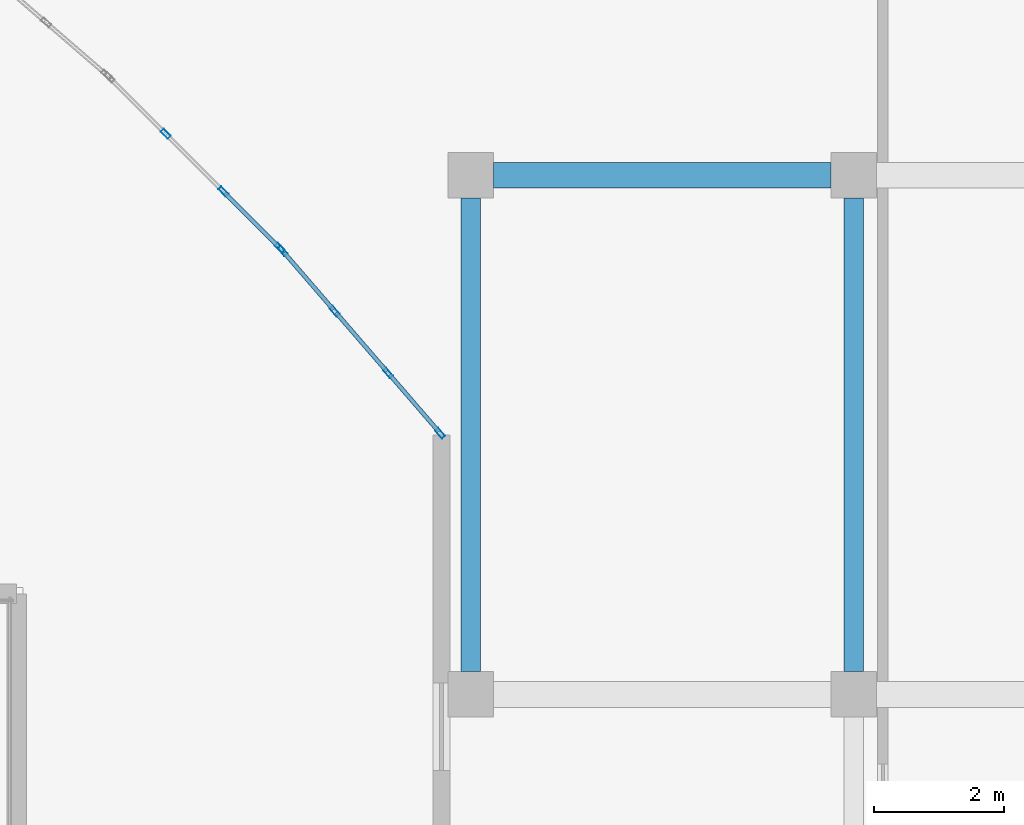
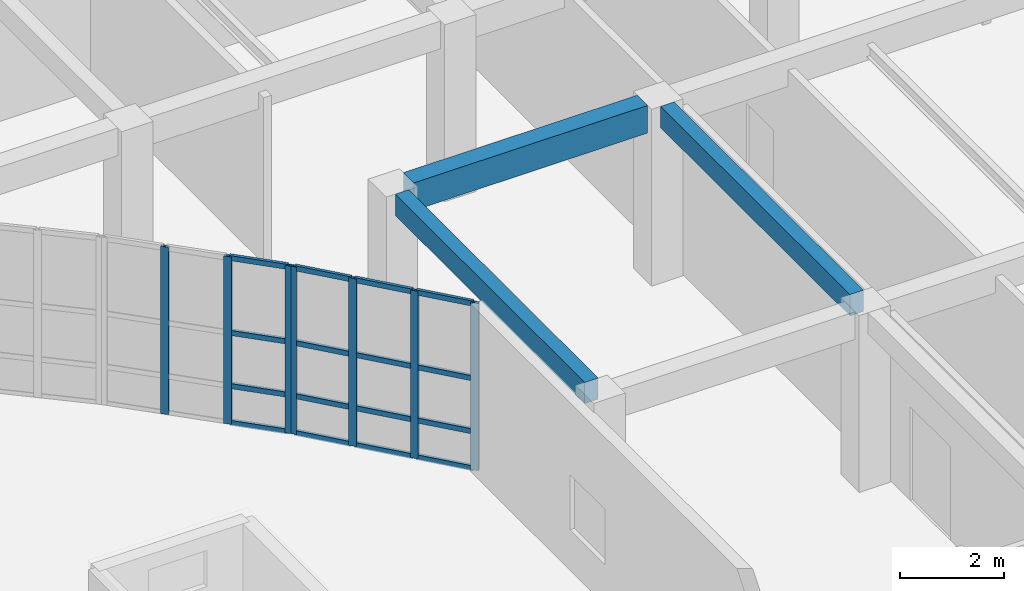
# One storey, part 37 of 114: 23 members, 3 beams, 2 elements without a shape of their own.
"""IFC4 building model written with IfcOpenShell, lengths in metres."""

import ifcopenshell
import ifcopenshell.guid

model = None  # the IFC model being written
_history = None  # IfcOwnerHistory: only IFC2X3 demands one
_inside = {}  # id of a spatial element -> (the spatial element, [elements in it])
_under = {}  # id of a project, library or spatial element -> (it, [spatial elements below it])
_declared = {}  # id of a project -> (the project, [libraries it declares])
_typed = {}  # id of a type object -> (the type object, [elements of that type])
_made_of = {}  # id of a material, layer set ... -> (it, [elements and type objects made of it])


def new_model(schema):
    """Start an empty IFC model of exactly this schema.

    Asked for "IFC4X3", IfcOpenShell would pick the latest addendum, in which some entities
    have other attributes; the version numbers below select the first issue.
    IFC2X3 requires an IfcOwnerHistory on every rooted entity: one is made here for all.
    """
    global model, _history
    if schema == "IFC4X3":
        model = ifcopenshell.file(schema_version=(4, 3, 0, 0))
    else:
        model = ifcopenshell.file(schema=schema)
    _inside.clear()
    _under.clear()
    _declared.clear()
    _typed.clear()
    _made_of.clear()
    _history = None
    if model.schema == "IFC2X3":
        org = make("IfcOrganization", Name="unknown")
        user = make(
            "IfcPersonAndOrganization",
            ThePerson=make("IfcPerson", FamilyName="unknown"),
            TheOrganization=org,
        )
        app = make(
            "IfcApplication",
            ApplicationDeveloper=org,
            Version="unknown",
            ApplicationFullName="unknown",
            ApplicationIdentifier="unknown",
        )
        _history = make(
            "IfcOwnerHistory",
            OwningUser=user,
            OwningApplication=app,
            ChangeAction="ADDED",
            CreationDate=0,
        )
    return model


def make(cls, **values):
    """One entity of the class cls with the attributes given. An attribute that is None is left unset."""
    return model.create_entity(
        cls, **{name: value for name, value in values.items() if value is not None}
    )


def rooted(cls, **values):
    """An entity with a GlobalId (a new one), such as an element, a storey or a relation."""
    return make(cls, GlobalId=ifcopenshell.guid.new(), OwnerHistory=_history, **values)


def si_unit(unit_type, name, prefix=None):
    """IfcSIUnit, for example si_unit("LENGTHUNIT", "METRE", prefix="MILLI")."""
    return make("IfcSIUnit", UnitType=unit_type, Prefix=prefix, Name=name)


def assignment(units):
    """IfcUnitAssignment: the units of a project."""
    return None if units is None else make("IfcUnitAssignment", Units=units)


def point(xyz):
    """IfcCartesianPoint."""
    return None if xyz is None else make("IfcCartesianPoint", Coordinates=xyz)


def direction(xyz):
    """IfcDirection."""
    return None if xyz is None else make("IfcDirection", DirectionRatios=xyz)


def frame(location, z_axis=None, x_axis=None):
    """IfcAxis2Placement3D, a coordinate frame: its origin and axes. An axis left out is left unset."""
    return make(
        "IfcAxis2Placement3D",
        Location=point(location),
        Axis=direction(z_axis),
        RefDirection=direction(x_axis),
    )


def frame_2d(location, x_axis=None):
    """IfcAxis2Placement2D, a coordinate frame in the plane: its origin and x axis."""
    return make(
        "IfcAxis2Placement2D", Location=point(location), RefDirection=direction(x_axis)
    )


def origin():
    """The frame at (0, 0, 0) with its axes left unset."""
    return frame((0.0, 0.0, 0.0))


def origin_2d():
    """The frame at (0, 0) in the plane with its x axis left unset."""
    return frame_2d((0.0, 0.0))


def place(relative_to, where):
    """IfcLocalPlacement: puts the frame where relative to a parent placement (None: the world)."""
    return make(
        "IfcLocalPlacement", PlacementRelTo=relative_to, RelativePlacement=where
    )


def context(
    kind, dimensions, precision=None, world=None, true_north=None, identifier=None
):
    """IfcGeometricRepresentationContext, for example the 3D "Model" context."""
    return make(
        "IfcGeometricRepresentationContext",
        ContextIdentifier=identifier,
        ContextType=kind,
        CoordinateSpaceDimension=dimensions,
        Precision=precision,
        WorldCoordinateSystem=world,
        TrueNorth=true_north,
    )


def subcontext(parent, identifier, kind, view, scale=None):
    """IfcGeometricRepresentationSubContext, for example "Body" below "Model"."""
    return make(
        "IfcGeometricRepresentationSubContext",
        ContextIdentifier=identifier,
        ContextType=kind,
        ParentContext=parent,
        TargetScale=scale,
        TargetView=view,
    )


def project(units=None, contexts=None):
    """IfcProject with its units and contexts."""
    return rooted(
        "IfcProject",
        Name="project",
        RepresentationContexts=contexts,
        UnitsInContext=assignment(units),
    )


def spatial(cls, under=None, at=None, **own):
    """A site, building, storey or space (cls), placed at a placement, below another one or the project."""
    s = rooted(cls, ObjectPlacement=at, **own)
    if under is not None:
        _under.setdefault(under.id(), (under, []))[1].append(s)
    return s


def profile(cls, at=None, kind="AREA", **sizes):
    """A parametric profile (cls). Its sizes go by their IFC names, for example OverallWidth=200.0."""
    return make(cls, ProfileType=kind, Position=at, **sizes)


def rectangle(**sizes):
    """IfcRectangleProfileDef."""
    return profile("IfcRectangleProfileDef", **sizes)


def hollow_rectangle(**sizes):
    """IfcRectangleHollowProfileDef."""
    return profile("IfcRectangleHollowProfileDef", **sizes)


def extrude(swept, where, along, depth):
    """IfcExtrudedAreaSolid: the profile swept, set in the frame where, extruded along a direction by depth."""
    return make(
        "IfcExtrudedAreaSolid",
        SweptArea=swept,
        Position=where,
        ExtrudedDirection=direction(along),
        Depth=depth,
    )


def shape(context_of_items, identifier, shape_type, items):
    """IfcShapeRepresentation: the items that make up one representation, for example the "Body"."""
    return make(
        "IfcShapeRepresentation",
        ContextOfItems=context_of_items,
        RepresentationIdentifier=identifier,
        RepresentationType=shape_type,
        Items=items,
    )


def material(Name=None, Category=None):
    """IfcMaterial."""
    return make("IfcMaterial", Name=Name, Category=Category)


def layer(
    of_material, thickness, ventilated=None, Name=None, Category=None, Priority=None
):
    """IfcMaterialLayer: one layer of a wall or slab, of a material (None: an air gap)."""
    return make(
        "IfcMaterialLayer",
        Material=of_material,
        LayerThickness=thickness,
        IsVentilated=ventilated,
        Name=Name,
        Category=Category,
        Priority=Priority,
    )


def layer_set(layers, Name=None):
    """IfcMaterialLayerSet."""
    return make("IfcMaterialLayerSet", MaterialLayers=layers, LayerSetName=Name)


def material_profile(
    of_material, cross_section, Name=None, Category=None, Priority=None
):
    """IfcMaterialProfile: a cross section and its material."""
    return make(
        "IfcMaterialProfile",
        Name=Name,
        Material=of_material,
        Profile=cross_section,
        Priority=Priority,
        Category=Category,
    )


def profile_set(profiles, Name=None, composite=None):
    """IfcMaterialProfileSet."""
    return make(
        "IfcMaterialProfileSet",
        Name=Name,
        MaterialProfiles=profiles,
        CompositeProfile=composite,
    )


def made_of(thing, what):
    """Note that an element or type object is made of a material, layer set ...; save() writes the relation."""
    if what is not None:
        _made_of.setdefault(what.id(), (what, []))[1].append(thing)
    return thing


def type_object(cls, material=None, **own):
    """A type object (cls), such as IfcWallType, which elements share."""
    return made_of(rooted(cls, **own), material)


def element(
    cls,
    number,
    at=None,
    inside=None,
    cuts=None,
    type_object=None,
    material=None,
    context=None,
    identifier="Body",
    shape_type=None,
    held_by="IfcProductDefinitionShape",
    body=None,
    shapes=None,
    **own,
):
    """One element of the class cls, such as IfcWall. Its Tag is "e" and its number.

    at: its placement. inside: the storey or other place that contains it. cuts: it is an
    opening in that element (IfcRelVoidsElement). A single representation is given by context,
    identifier, shape_type and body (its items); several are given by shapes. held_by: the class
    of the entity that holds the representations. save() writes the other relations.
    """
    e = rooted(cls, Tag="e%d" % number, ObjectPlacement=at, **own)
    if body is not None:
        shapes = [shape(context, identifier, shape_type, body)]
    if shapes is not None:
        e.Representation = make(held_by, Representations=shapes)
    if inside is not None:
        _inside.setdefault(inside.id(), (inside, []))[1].append(e)
    if cuts is not None:
        rooted(
            "IfcRelVoidsElement", RelatingBuildingElement=cuts, RelatedOpeningElement=e
        )
    if type_object is not None:
        _typed.setdefault(type_object.id(), (type_object, []))[1].append(e)
    return made_of(e, material)


def aggregate(whole, parts):
    """IfcRelAggregates: a whole, such as a stair, and the parts it consists of."""
    return rooted("IfcRelAggregates", RelatingObject=whole, RelatedObjects=parts)


def save(model, path):
    """Write the relations noted so far, then the file.

    IfcRelAggregates (storeys below a building ...), IfcRelContainedInSpatialStructure (elements
    in a storey), IfcRelDefinesByType, IfcRelAssociatesMaterial and IfcRelDeclares: one each for
    every whole, place, type object, material and project.
    """
    for whole, parts in _under.values():
        aggregate(whole, parts)
    for where, things in _inside.values():
        rooted(
            "IfcRelContainedInSpatialStructure",
            RelatedElements=things,
            RelatingStructure=where,
        )
    for kind, things in _typed.values():
        rooted("IfcRelDefinesByType", RelatedObjects=things, RelatingType=kind)
    for what, things in _made_of.values():
        rooted("IfcRelAssociatesMaterial", RelatedObjects=things, RelatingMaterial=what)
    for by, libraries in _declared.values():
        rooted("IfcRelDeclares", RelatingContext=by, RelatedDefinitions=libraries)
    model.write(path)


model = new_model("IFC4")

# Units and contexts
model_context = context("Model", 3, precision=1e-05, world=origin(), true_north=direction((0.0, 1.0)))
body_context = subcontext(model_context, "Body", "Model", "MODEL_VIEW")
ifc_project = project(units=[si_unit("LENGTHUNIT", "METRE"), si_unit("AREAUNIT", "SQUARE_METRE"), si_unit("VOLUMEUNIT", "CUBIC_METRE"), si_unit("PLANEANGLEUNIT", "RADIAN"), si_unit("MASSUNIT", "GRAM", prefix="KILO")], contexts=[model_context])

# Site, building, storey
site_placement = place(None, origin())
site = spatial("IfcSite", under=ifc_project, at=site_placement, CompositionType="ELEMENT")
building_placement = place(site_placement, origin())
building = spatial("IfcBuilding", under=site, at=building_placement, Name="Keldmere Railside Commons", CompositionType="ELEMENT")
storey_placement = place(building_placement, origin())
storey = spatial("IfcBuildingStorey", under=building, at=storey_placement, Name="L00", CompositionType="ELEMENT", Elevation=0.0)

# Beams
ifc_material_1 = material(Name="Concrete H-30 (C30/37)", Category="concrete")
ifc_material_profile_1 = material_profile(ifc_material_1, rectangle(XDim=0.39990234375, YDim=0.64990234375, at=origin_2d()), Name="RC-400x650")
ifc_profile_set_1 = profile_set([ifc_material_profile_1], Name="Concrete H-30 (C30/37)")
beam_type_1 = type_object("IfcBeamType", Name="Residential Spine RC Girder 400x650", PredefinedType="BEAM", material=ifc_profile_set_1)
beam_placement = place(storey_placement, frame((104.800048828125, 96.0, 3.8349609375), z_axis=(1.0, 0.0, 0.0), x_axis=(0.0, 1.0, 0.0)))
element("IfcBeam", 1, at=beam_placement, inside=storey, type_object=beam_type_1, Name="BG-3 BM-L00-0495", PredefinedType="BEAM", context=body_context, shape_type="SweptSolid", body=[
    extrude(rectangle(XDim=0.39990234375, YDim=0.64990234375, at=origin_2d()), origin(), (0.0, 0.0, 1.0), 5.199951171875),
])
ifc_material_profile_2 = material_profile(ifc_material_1, rectangle(XDim=0.300048828125, YDim=0.5, at=origin_2d()), Name="RC-300x500")
ifc_profile_set_2 = profile_set([ifc_material_profile_2], Name="Concrete H-30 (C30/37)")
beam_type_2 = type_object("IfcBeamType", Name="Secondary Frame RC Beam 300x500", PredefinedType="BEAM", material=ifc_profile_set_2)
for number, where, z_axis, x_axis, name in (
    (2, (104.449951171875, 88.35009765625, 3.909912109375), (0.0, 1.0, 0.0), (-1.0, 0.0, 0.0), "BG-5 BM-L00-0611"),
    (3, (110.35009765625, 88.35009765625, 3.909912109375), (0.0, 1.0, 0.0), (-1.0, 0.0, 0.0), "BG-5 BM-L00-0618"),
):
    element("IfcBeam", number, at=place(storey_placement, frame(where, z_axis=z_axis, x_axis=x_axis)), inside=storey, type_object=beam_type_2, Name=name, PredefinedType="BEAM", context=body_context, shape_type="SweptSolid", body=[
        extrude(rectangle(XDim=0.300048828125, YDim=0.5, at=origin_2d()), origin(), (0.0, 0.0, 1.0), 7.2998046875),
    ])

# Curtain wall, members
ifc_material_2 = material(Name="Thermally Broken Aluminium", Category="aluminium")
ifc_layer_1 = layer(ifc_material_2, 0.159912109375, Name="Residential Lounge Frontage CW 4600x3600")
ifc_layer_set_1 = layer_set([ifc_layer_1], Name="Thermally Broken Aluminium")
curtain_wall_type_1 = type_object("IfcCurtainWallType", Name="Residential Lounge Frontage CW 4600x3600", PredefinedType="NOTDEFINED", material=ifc_layer_set_1)
curtain_wall_1_placement = place(storey_placement, origin())
curtain_wall_1 = element("IfcCurtainWall", 4, at=curtain_wall_1_placement, inside=storey, type_object=curtain_wall_type_1, Name="CW-11 CW-L00-089", PredefinedType="NOTDEFINED")
ifc_material_profile_3 = material_profile(ifc_material_2, hollow_rectangle(XDim=0.06494140625, YDim=0.159912109375, WallThickness=0.00390625, at=origin_2d()), Name="ALU-MULL-65x160")
ifc_profile_set_3 = profile_set([ifc_material_profile_3], Name="Thermally Broken Aluminium")
member_type_1 = type_object("IfcMemberType", Name="Unitised Curtain Wall Mullion 65x160", PredefinedType="MULLION", material=ifc_profile_set_3)
member_1_placement = place(storey_placement, frame((101.507080078125, 94.880859375, 0.0), z_axis=(0.0, 0.0, 1.0), x_axis=(-0.707106781187, -0.707106781187, 0.0)))
member_1 = element("IfcMember", 5, at=member_1_placement, type_object=member_type_1, Name="CW-11 mullion 1", PredefinedType="MULLION", context=body_context, shape_type="SweptSolid", body=[
    extrude(hollow_rectangle(XDim=0.06494140625, YDim=0.159912109375, WallThickness=0.00390625, at=origin_2d()), origin(), (0.0, 0.0, 1.0), 3.93994140625),
])
member_2_placement = place(storey_placement, frame((100.639404296875, 95.748779296875, 0.0), z_axis=(0.0, 0.0, 1.0), x_axis=(-0.707106781187, -0.707106781187, 0.0)))
member_2 = element("IfcMember", 6, at=member_2_placement, type_object=member_type_1, Name="CW-11 mullion 2", PredefinedType="MULLION", context=body_context, shape_type="SweptSolid", body=[
    extrude(hollow_rectangle(XDim=0.06494140625, YDim=0.159912109375, WallThickness=0.00390625, at=origin_2d()), origin(), (0.0, 0.0, 1.0), 3.93994140625),
])
member_3_placement = place(storey_placement, frame((99.748779296875, 96.639404296875, 0.0), z_axis=(0.0, 0.0, 1.0), x_axis=(-0.707106781187, -0.707106781187, 0.0)))
member_3 = element("IfcMember", 7, at=member_3_placement, type_object=member_type_1, Name="CW-11 mullion 3", PredefinedType="MULLION", context=body_context, shape_type="SweptSolid", body=[
    extrude(hollow_rectangle(XDim=0.06494140625, YDim=0.159912109375, WallThickness=0.00390625, at=origin_2d()), origin(), (0.0, 0.0, 1.0), 3.93994140625),
])

ifc_layer_2 = layer(ifc_material_2, 0.159912109375, Name="Residential Ground Entrance Lobby CW 4000x3600")
ifc_layer_set_2 = layer_set([ifc_layer_2], Name="Thermally Broken Aluminium")
curtain_wall_type_2 = type_object("IfcCurtainWallType", Name="Residential Ground Entrance Lobby CW 4000x3600", PredefinedType="NOTDEFINED", material=ifc_layer_set_2)
curtain_wall_2_placement = place(storey_placement, origin())
curtain_wall_2 = element("IfcCurtainWall", 8, at=curtain_wall_2_placement, inside=storey, type_object=curtain_wall_type_2, Name="CW-10 CW-L00-090", PredefinedType="NOTDEFINED")
member_4_placement = place(storey_placement, frame((103.978759765625, 92.024658203125, 0.0), z_axis=(0.0, 0.0, 1.0), x_axis=(-0.756596767584, -0.653881741053, 0.0)))
member_4 = element("IfcMember", 9, at=member_4_placement, type_object=member_type_1, Name="CW-10 mullion 1", PredefinedType="MULLION", context=body_context, shape_type="SweptSolid", body=[
    extrude(hollow_rectangle(XDim=0.06494140625, YDim=0.159912109375, WallThickness=0.00390625, at=origin_2d()), origin(), (0.0, 0.0, 1.0), 3.93994140625),
])
member_5_placement = place(storey_placement, frame((103.1767578125, 92.95263671875, 0.0), z_axis=(0.0, 0.0, 1.0), x_axis=(-0.756596767584, -0.653881741053, 0.0)))
member_5 = element("IfcMember", 10, at=member_5_placement, type_object=member_type_1, Name="CW-10 mullion 2", PredefinedType="MULLION", context=body_context, shape_type="SweptSolid", body=[
    extrude(hollow_rectangle(XDim=0.06494140625, YDim=0.159912109375, WallThickness=0.00390625, at=origin_2d()), origin(), (0.0, 0.0, 1.0), 3.93994140625),
])
member_6_placement = place(storey_placement, frame((102.353271484375, 93.9052734375, 0.0), z_axis=(0.0, 0.0, 1.0), x_axis=(-0.756596767584, -0.653881741053, 0.0)))
member_6 = element("IfcMember", 11, at=member_6_placement, type_object=member_type_1, Name="CW-10 mullion 3", PredefinedType="MULLION", context=body_context, shape_type="SweptSolid", body=[
    extrude(hollow_rectangle(XDim=0.06494140625, YDim=0.159912109375, WallThickness=0.00390625, at=origin_2d()), origin(), (0.0, 0.0, 1.0), 3.93994140625),
])
member_7_placement = place(storey_placement, frame((101.55126953125, 94.83349609375, 0.0), z_axis=(0.0, 0.0, 1.0), x_axis=(-0.756596767584, -0.653881741053, 0.0)))
member_7 = element("IfcMember", 12, at=member_7_placement, type_object=member_type_1, Name="CW-10 mullion 4", PredefinedType="MULLION", context=body_context, shape_type="SweptSolid", body=[
    extrude(hollow_rectangle(XDim=0.06494140625, YDim=0.159912109375, WallThickness=0.00390625, at=origin_2d()), origin(), (0.0, 0.0, 1.0), 3.93994140625),
])

# Member
ifc_material_profile_4 = material_profile(ifc_material_2, hollow_rectangle(XDim=0.06494140625, YDim=0.1201171875, WallThickness=0.00390625, at=origin_2d()), Name="ALU-TRAN-65x120")
ifc_profile_set_4 = profile_set([ifc_material_profile_4], Name="Thermally Broken Aluminium")
member_type_2 = type_object("IfcMemberType", Name="Unitised Curtain Wall Transom 65x120", PredefinedType="USERDEFINED", material=ifc_profile_set_4)
member_8_placement = place(storey_placement, frame((101.484130859375, 94.904052734375, 0.032470703125), z_axis=(-0.707211825645, 0.707001721121, 0.0), x_axis=(-0.707001721121, -0.707211825645, 0.0)))
member_8 = element("IfcMember", 13, at=member_8_placement, type_object=member_type_2, Name="CW-11 transom 1.1", ObjectType="TRANSOM", PredefinedType="USERDEFINED", context=body_context, shape_type="SweptSolid", body=[
    extrude(hollow_rectangle(XDim=0.06494140625, YDim=0.1201171875, WallThickness=0.00390625, at=origin_2d()), origin(), (0.0, 0.0, 1.0), 1.162109375),
])

member_9_placement = place(storey_placement, frame((101.484130859375, 94.904052734375, 0.89990234375), z_axis=(-0.707211825645, 0.707001721121, 0.0), x_axis=(-0.707001721121, -0.707211825645, 0.0)))
member_9 = element("IfcMember", 14, at=member_9_placement, type_object=member_type_2, Name="CW-11 transom 1.2", ObjectType="TRANSOM", PredefinedType="USERDEFINED", context=body_context, shape_type="SweptSolid", body=[
    extrude(hollow_rectangle(XDim=0.06494140625, YDim=0.1201171875, WallThickness=0.00390625, at=origin_2d()), origin(), (0.0, 0.0, 1.0), 1.162109375),
])

member_10_placement = place(storey_placement, frame((101.484130859375, 94.904052734375, 2.14990234375), z_axis=(-0.707211825645, 0.707001721121, 0.0), x_axis=(-0.707001721121, -0.707211825645, 0.0)))
member_10 = element("IfcMember", 15, at=member_10_placement, type_object=member_type_2, Name="CW-11 transom 1.3", ObjectType="TRANSOM", PredefinedType="USERDEFINED", context=body_context, shape_type="SweptSolid", body=[
    extrude(hollow_rectangle(XDim=0.06494140625, YDim=0.1201171875, WallThickness=0.00390625, at=origin_2d()), origin(), (0.0, 0.0, 1.0), 1.162109375),
])

member_11_placement = place(storey_placement, frame((101.484130859375, 94.904052734375, 3.907470703125), z_axis=(-0.707211825645, 0.707001721121, 0.0), x_axis=(-0.707001721121, -0.707211825645, 0.0)))
member_11 = element("IfcMember", 16, at=member_11_placement, type_object=member_type_2, Name="CW-11 transom 1.4", ObjectType="TRANSOM", PredefinedType="USERDEFINED", context=body_context, shape_type="SweptSolid", body=[
    extrude(hollow_rectangle(XDim=0.06494140625, YDim=0.1201171875, WallThickness=0.00390625, at=origin_2d()), origin(), (0.0, 0.0, 1.0), 1.162109375),
])

aggregate(curtain_wall_1, [member_1, member_2, member_3, member_8, member_9, member_10, member_11])

member_12_placement = place(storey_placement, frame((103.95751953125, 92.049072265625, 0.032470703125), z_axis=(-0.653849663033, 0.756624489527, 0.0), x_axis=(-0.756624489527, -0.653849663033, 0.0)))
member_12 = element("IfcMember", 17, at=member_12_placement, type_object=member_type_2, Name="CW-10 transom 1.1", ObjectType="TRANSOM", PredefinedType="USERDEFINED", context=body_context, shape_type="SweptSolid", body=[
    extrude(hollow_rectangle(XDim=0.06494140625, YDim=0.1201171875, WallThickness=0.00390625, at=origin_2d()), origin(), (0.0, 0.0, 1.0), 1.16162109375),
])

member_13_placement = place(storey_placement, frame((103.95751953125, 92.049072265625, 0.89990234375), z_axis=(-0.653849663033, 0.756624489527, 0.0), x_axis=(-0.756624489527, -0.653849663033, 0.0)))
member_13 = element("IfcMember", 18, at=member_13_placement, type_object=member_type_2, Name="CW-10 transom 1.2", ObjectType="TRANSOM", PredefinedType="USERDEFINED", context=body_context, shape_type="SweptSolid", body=[
    extrude(hollow_rectangle(XDim=0.06494140625, YDim=0.1201171875, WallThickness=0.00390625, at=origin_2d()), origin(), (0.0, 0.0, 1.0), 1.16162109375),
])

member_14_placement = place(storey_placement, frame((103.95751953125, 92.049072265625, 2.14990234375), z_axis=(-0.653849663033, 0.756624489527, 0.0), x_axis=(-0.756624489527, -0.653849663033, 0.0)))
member_14 = element("IfcMember", 19, at=member_14_placement, type_object=member_type_2, Name="CW-10 transom 1.3", ObjectType="TRANSOM", PredefinedType="USERDEFINED", context=body_context, shape_type="SweptSolid", body=[
    extrude(hollow_rectangle(XDim=0.06494140625, YDim=0.1201171875, WallThickness=0.00390625, at=origin_2d()), origin(), (0.0, 0.0, 1.0), 1.16162109375),
])

member_15_placement = place(storey_placement, frame((103.95751953125, 92.049072265625, 3.907470703125), z_axis=(-0.653849663033, 0.756624489527, 0.0), x_axis=(-0.756624489527, -0.653849663033, 0.0)))
member_15 = element("IfcMember", 20, at=member_15_placement, type_object=member_type_2, Name="CW-10 transom 1.4", ObjectType="TRANSOM", PredefinedType="USERDEFINED", context=body_context, shape_type="SweptSolid", body=[
    extrude(hollow_rectangle(XDim=0.06494140625, YDim=0.1201171875, WallThickness=0.00390625, at=origin_2d()), origin(), (0.0, 0.0, 1.0), 1.16162109375),
])

member_16_placement = place(storey_placement, frame((103.155517578125, 92.977294921875, 0.032470703125), z_axis=(-0.653933819796, 0.756551755881, 0.0), x_axis=(-0.756551755881, -0.653933819796, 0.0)))
member_16 = element("IfcMember", 21, at=member_16_placement, type_object=member_type_2, Name="CW-10 transom 2.1", ObjectType="TRANSOM", PredefinedType="USERDEFINED", context=body_context, shape_type="SweptSolid", body=[
    extrude(hollow_rectangle(XDim=0.06494140625, YDim=0.1201171875, WallThickness=0.00390625, at=origin_2d()), origin(), (0.0, 0.0, 1.0), 1.1943359375),
])

member_17_placement = place(storey_placement, frame((103.155517578125, 92.977294921875, 0.89990234375), z_axis=(-0.653933819796, 0.756551755881, 0.0), x_axis=(-0.756551755881, -0.653933819796, 0.0)))
member_17 = element("IfcMember", 22, at=member_17_placement, type_object=member_type_2, Name="CW-10 transom 2.2", ObjectType="TRANSOM", PredefinedType="USERDEFINED", context=body_context, shape_type="SweptSolid", body=[
    extrude(hollow_rectangle(XDim=0.06494140625, YDim=0.1201171875, WallThickness=0.00390625, at=origin_2d()), origin(), (0.0, 0.0, 1.0), 1.1943359375),
])

member_18_placement = place(storey_placement, frame((103.155517578125, 92.977294921875, 2.14990234375), z_axis=(-0.653933819796, 0.756551755881, 0.0), x_axis=(-0.756551755881, -0.653933819796, 0.0)))
member_18 = element("IfcMember", 23, at=member_18_placement, type_object=member_type_2, Name="CW-10 transom 2.3", ObjectType="TRANSOM", PredefinedType="USERDEFINED", context=body_context, shape_type="SweptSolid", body=[
    extrude(hollow_rectangle(XDim=0.06494140625, YDim=0.1201171875, WallThickness=0.00390625, at=origin_2d()), origin(), (0.0, 0.0, 1.0), 1.1943359375),
])

member_19_placement = place(storey_placement, frame((103.155517578125, 92.977294921875, 3.907470703125), z_axis=(-0.653933819796, 0.756551755881, 0.0), x_axis=(-0.756551755881, -0.653933819796, 0.0)))
member_19 = element("IfcMember", 24, at=member_19_placement, type_object=member_type_2, Name="CW-10 transom 2.4", ObjectType="TRANSOM", PredefinedType="USERDEFINED", context=body_context, shape_type="SweptSolid", body=[
    extrude(hollow_rectangle(XDim=0.06494140625, YDim=0.1201171875, WallThickness=0.00390625, at=origin_2d()), origin(), (0.0, 0.0, 1.0), 1.1943359375),
])

member_20_placement = place(storey_placement, frame((102.33203125, 93.929931640625, 0.032470703125), z_axis=(-0.653849663033, 0.756624489527, 0.0), x_axis=(-0.756624489527, -0.653849663033, 0.0)))
member_20 = element("IfcMember", 25, at=member_20_placement, type_object=member_type_2, Name="CW-10 transom 3.1", ObjectType="TRANSOM", PredefinedType="USERDEFINED", context=body_context, shape_type="SweptSolid", body=[
    extrude(hollow_rectangle(XDim=0.06494140625, YDim=0.1201171875, WallThickness=0.00390625, at=origin_2d()), origin(), (0.0, 0.0, 1.0), 1.16162109375),
])

member_21_placement = place(storey_placement, frame((102.33203125, 93.929931640625, 0.89990234375), z_axis=(-0.653849663033, 0.756624489527, 0.0), x_axis=(-0.756624489527, -0.653849663033, 0.0)))
member_21 = element("IfcMember", 26, at=member_21_placement, type_object=member_type_2, Name="CW-10 transom 3.2", ObjectType="TRANSOM", PredefinedType="USERDEFINED", context=body_context, shape_type="SweptSolid", body=[
    extrude(hollow_rectangle(XDim=0.06494140625, YDim=0.1201171875, WallThickness=0.00390625, at=origin_2d()), origin(), (0.0, 0.0, 1.0), 1.16162109375),
])

member_22_placement = place(storey_placement, frame((102.33203125, 93.929931640625, 2.14990234375), z_axis=(-0.653849663033, 0.756624489527, 0.0), x_axis=(-0.756624489527, -0.653849663033, 0.0)))
member_22 = element("IfcMember", 27, at=member_22_placement, type_object=member_type_2, Name="CW-10 transom 3.3", ObjectType="TRANSOM", PredefinedType="USERDEFINED", context=body_context, shape_type="SweptSolid", body=[
    extrude(hollow_rectangle(XDim=0.06494140625, YDim=0.1201171875, WallThickness=0.00390625, at=origin_2d()), origin(), (0.0, 0.0, 1.0), 1.16162109375),
])

member_23_placement = place(storey_placement, frame((102.33203125, 93.929931640625, 3.907470703125), z_axis=(-0.653849663033, 0.756624489527, 0.0), x_axis=(-0.756624489527, -0.653849663033, 0.0)))
member_23 = element("IfcMember", 28, at=member_23_placement, type_object=member_type_2, Name="CW-10 transom 3.4", ObjectType="TRANSOM", PredefinedType="USERDEFINED", context=body_context, shape_type="SweptSolid", body=[
    extrude(hollow_rectangle(XDim=0.06494140625, YDim=0.1201171875, WallThickness=0.00390625, at=origin_2d()), origin(), (0.0, 0.0, 1.0), 1.16162109375),
])

aggregate(curtain_wall_2, [member_4, member_5, member_6, member_7, member_12, member_13, member_14, member_15, member_16, member_17, member_18, member_19, member_20, member_21, member_22, member_23])

save(model, "model.ifc")
